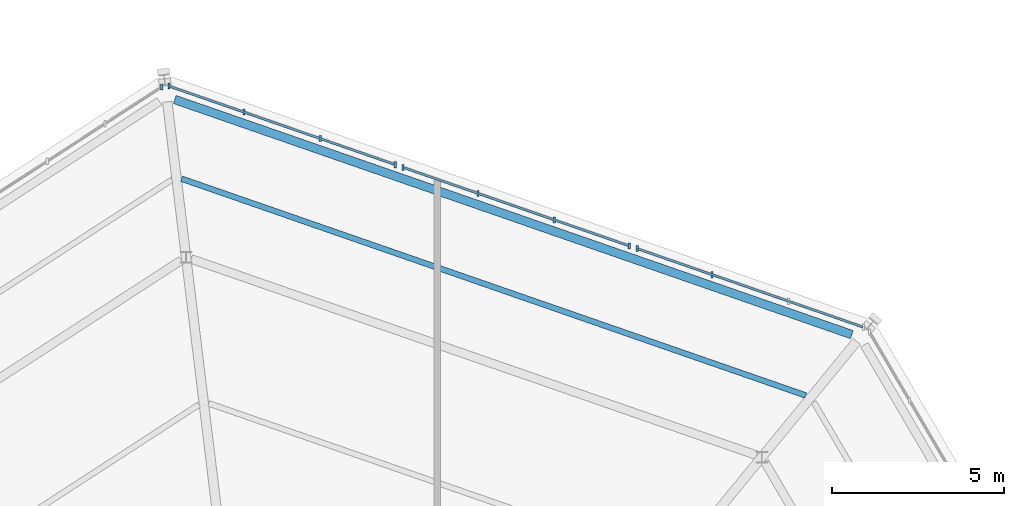
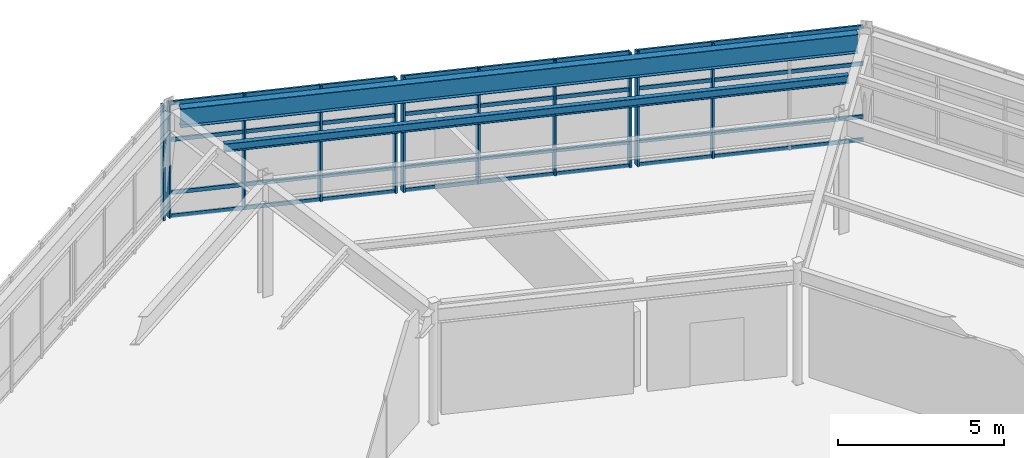
# One storey, part 37 of 69: 23 members, 2 beams, 4 elements without a shape of their own.
"""IFC4 building model written with IfcOpenShell, lengths in metres."""

from ifc_helpers import new_model, si_unit, direction, frame, origin, origin_2d, place, context, subcontext, project, spatial, rectangle, i_section, extrude, material, material_profile, profile_set, type_object, element, aggregate, save


model = new_model("IFC4")

# Units and contexts
model_context = context("Model", 3, precision=1e-05, world=origin(), true_north=direction((0.0, 1.0)))
body_context = subcontext(model_context, "Body", "Model", "MODEL_VIEW")
ifc_project = project(units=[si_unit("LENGTHUNIT", "METRE"), si_unit("AREAUNIT", "SQUARE_METRE"), si_unit("VOLUMEUNIT", "CUBIC_METRE"), si_unit("PLANEANGLEUNIT", "RADIAN"), si_unit("MASSUNIT", "GRAM", prefix="KILO")], contexts=[model_context])

# Site, building, storey
site_placement = place(None, origin())
site = spatial("IfcSite", under=ifc_project, at=site_placement, CompositionType="ELEMENT")
building_placement = place(site_placement, origin())
building = spatial("IfcBuilding", under=site, at=building_placement, Name="Sarnbrook Museum", CompositionType="ELEMENT")
storey_placement = place(building_placement, frame((0.0, 0.0, 14.60009765625)))
storey = spatial("IfcBuildingStorey", under=building, at=storey_placement, Name="L03", CompositionType="ELEMENT", Elevation=14.60009765625)

# Beam
ifc_material_1 = material(Name="Structural Steel Grade 350L0 (AS/NZS 3678, fy = 340 MPa for 20 < t <= 40 mm)", Category="steel")
ifc_material_profile_1 = material_profile(ifc_material_1, i_section(OverallWidth=0.25, OverallDepth=0.699951171875, WebThickness=0.010009765625, FlangeThickness=0.01611328125, at=origin_2d()), Name="700WB130")
ifc_profile_set_1 = profile_set([ifc_material_profile_1], Name="Structural Steel Grade 350L0 (AS/NZS 3678, fy = 340 MPa for 20 < t <= 40 mm)")
beam_type_1 = type_object("IfcBeamType", Name="BM-WB700", PredefinedType="BEAM", material=ifc_profile_set_1)
beam_1_placement = place(storey_placement, frame((156.162109375, 106.2177734375, 3.889892578125), z_axis=(-0.944671294685, 0.328018513194, 0.0), x_axis=(-0.328018513194, -0.944671294685, 0.0)))
element("IfcBeam", 1, at=beam_1_placement, inside=storey, type_object=beam_type_1, Name="Crystal Hall Perimeter Ring Girder 5 L03", PredefinedType="BEAM", context=body_context, shape_type="SweptSolid", body=[
    extrude(i_section(OverallWidth=0.25, OverallDepth=0.699951171875, WebThickness=0.010009765625, FlangeThickness=0.01611328125, at=origin_2d()), origin(), (0.0, 0.0, 1.0), 20.8408203125),
])

# Curtain wall, members
ifc_material_2 = material(Name="Thermally Broken Anodised Aluminium 6063-T6", Category="aluminium")
curtain_wall_type = type_object("IfcCurtainWallType", Name="CurtainWall_CrystalFacet", PredefinedType="NOTDEFINED", material=ifc_material_2)
curtain_wall_1_placement = place(storey_placement, origin())
curtain_wall_1 = element("IfcCurtainWall", 2, at=curtain_wall_1_placement, inside=storey, type_object=curtain_wall_type, Name="Crystal Hall Facet Curtain Wall L03-F5.1", PredefinedType="NOTDEFINED")
ifc_material_profile_2 = material_profile(ifc_material_2, rectangle(XDim=0.06494140625, YDim=0.179931640625, at=origin_2d()), Name="ALU MULLION 65x180")
ifc_profile_set_2 = profile_set([ifc_material_profile_2], Name="Thermally Broken Anodised Aluminium 6063-T6")
member_type_1 = type_object("IfcMemberType", Name="CW_Mullion_180x75", PredefinedType="MULLION", material=ifc_profile_set_2)
member_1_placement = place(storey_placement, frame((152.09912109375, 107.960205078125, 0.0), z_axis=(0.0, 0.0, 1.0), x_axis=(1.0, 0.0, 0.0)))
member_1 = element("IfcMember", 3, at=member_1_placement, type_object=member_type_1, Name="Crystal Hall Facet Curtain Wall L03-F5.1 Mullion 3", PredefinedType="MULLION", context=body_context, shape_type="SweptSolid", body=[
    extrude(rectangle(XDim=0.06494140625, YDim=0.179931640625, at=origin_2d()), origin(), (0.0, 0.0, 1.0), 4.239990234375),
])
member_2_placement = place(storey_placement, frame((149.9189453125, 108.71728515625, 0.0), z_axis=(0.0, 0.0, 1.0), x_axis=(1.0, 0.0, 0.0)))
member_2 = element("IfcMember", 4, at=member_2_placement, type_object=member_type_1, Name="Crystal Hall Facet Curtain Wall L03-F5.1 Mullion 4", PredefinedType="MULLION", context=body_context, shape_type="SweptSolid", body=[
    extrude(rectangle(XDim=0.06494140625, YDim=0.179931640625, at=origin_2d()), origin(), (0.0, 0.0, 1.0), 4.239990234375),
])

curtain_wall_2_placement = place(storey_placement, origin())
curtain_wall_2 = element("IfcCurtainWall", 5, at=curtain_wall_2_placement, inside=storey, type_object=curtain_wall_type, Name="Crystal Hall Facet Curtain Wall L03-F5.2", PredefinedType="NOTDEFINED")
member_3_placement = place(storey_placement, frame((149.692138671875, 108.7958984375, 0.0), z_axis=(0.0, 0.0, 1.0), x_axis=(1.0, 0.0, 0.0)))
member_3 = element("IfcMember", 6, at=member_3_placement, type_object=member_type_1, Name="Crystal Hall Facet Curtain Wall L03-F5.2 Mullion 1", PredefinedType="MULLION", context=body_context, shape_type="SweptSolid", body=[
    extrude(rectangle(XDim=0.06494140625, YDim=0.179931640625, at=origin_2d()), origin(), (0.0, 0.0, 1.0), 4.239990234375),
])
member_4_placement = place(storey_placement, frame((147.51220703125, 109.552978515625, 0.0), z_axis=(0.0, 0.0, 1.0), x_axis=(1.0, 0.0, 0.0)))
member_4 = element("IfcMember", 7, at=member_4_placement, type_object=member_type_1, Name="Crystal Hall Facet Curtain Wall L03-F5.2 Mullion 2", PredefinedType="MULLION", context=body_context, shape_type="SweptSolid", body=[
    extrude(rectangle(XDim=0.06494140625, YDim=0.179931640625, at=origin_2d()), origin(), (0.0, 0.0, 1.0), 4.239990234375),
])
member_5_placement = place(storey_placement, frame((145.294189453125, 110.322998046875, 0.0), z_axis=(0.0, 0.0, 1.0), x_axis=(1.0, 0.0, 0.0)))
member_5 = element("IfcMember", 8, at=member_5_placement, type_object=member_type_1, Name="Crystal Hall Facet Curtain Wall L03-F5.2 Mullion 3", PredefinedType="MULLION", context=body_context, shape_type="SweptSolid", body=[
    extrude(rectangle(XDim=0.06494140625, YDim=0.179931640625, at=origin_2d()), origin(), (0.0, 0.0, 1.0), 4.239990234375),
])
member_6_placement = place(storey_placement, frame((143.1142578125, 111.080078125, 0.0), z_axis=(0.0, 0.0, 1.0), x_axis=(1.0, 0.0, 0.0)))
member_6 = element("IfcMember", 9, at=member_6_placement, type_object=member_type_1, Name="Crystal Hall Facet Curtain Wall L03-F5.2 Mullion 4", PredefinedType="MULLION", context=body_context, shape_type="SweptSolid", body=[
    extrude(rectangle(XDim=0.06494140625, YDim=0.179931640625, at=origin_2d()), origin(), (0.0, 0.0, 1.0), 4.239990234375),
])

curtain_wall_3_placement = place(storey_placement, origin())
curtain_wall_3 = element("IfcCurtainWall", 10, at=curtain_wall_3_placement, inside=storey, type_object=curtain_wall_type, Name="Crystal Hall Facet Curtain Wall L03-F5.3", PredefinedType="NOTDEFINED")
member_7_placement = place(storey_placement, frame((142.887451171875, 111.15869140625, 0.0), z_axis=(0.0, 0.0, 1.0), x_axis=(1.0, 0.0, 0.0)))
member_7 = element("IfcMember", 11, at=member_7_placement, type_object=member_type_1, Name="Crystal Hall Facet Curtain Wall L03-F5.3 Mullion 1", PredefinedType="MULLION", context=body_context, shape_type="SweptSolid", body=[
    extrude(rectangle(XDim=0.06494140625, YDim=0.179931640625, at=origin_2d()), origin(), (0.0, 0.0, 1.0), 4.239990234375),
])
member_8_placement = place(storey_placement, frame((140.70751953125, 111.915771484375, 0.0), z_axis=(0.0, 0.0, 1.0), x_axis=(1.0, 0.0, 0.0)))
member_8 = element("IfcMember", 12, at=member_8_placement, type_object=member_type_1, Name="Crystal Hall Facet Curtain Wall L03-F5.3 Mullion 2", PredefinedType="MULLION", context=body_context, shape_type="SweptSolid", body=[
    extrude(rectangle(XDim=0.06494140625, YDim=0.179931640625, at=origin_2d()), origin(), (0.0, 0.0, 1.0), 4.239990234375),
])
member_9_placement = place(storey_placement, frame((138.489501953125, 112.685791015625, 0.0), z_axis=(0.0, 0.0, 1.0), x_axis=(1.0, 0.0, 0.0)))
member_9 = element("IfcMember", 13, at=member_9_placement, type_object=member_type_1, Name="Crystal Hall Facet Curtain Wall L03-F5.3 Mullion 3", PredefinedType="MULLION", context=body_context, shape_type="SweptSolid", body=[
    extrude(rectangle(XDim=0.06494140625, YDim=0.179931640625, at=origin_2d()), origin(), (0.0, 0.0, 1.0), 4.239990234375),
])
member_10_placement = place(storey_placement, frame((136.3095703125, 113.442626953125, 0.0), z_axis=(0.0, 0.0, 1.0), x_axis=(1.0, 0.0, 0.0)))
member_10 = element("IfcMember", 14, at=member_10_placement, type_object=member_type_1, Name="Crystal Hall Facet Curtain Wall L03-F5.3 Mullion 4", PredefinedType="MULLION", context=body_context, shape_type="SweptSolid", body=[
    extrude(rectangle(XDim=0.06494140625, YDim=0.179931640625, at=origin_2d()), origin(), (0.0, 0.0, 1.0), 4.239990234375),
])

# Curtain wall, member
curtain_wall_4_placement = place(storey_placement, origin())
curtain_wall_4 = element("IfcCurtainWall", 15, at=curtain_wall_4_placement, inside=storey, type_object=curtain_wall_type, Name="Crystal Hall Facet Curtain Wall L03-F6.1", PredefinedType="NOTDEFINED")
member_11_placement = place(storey_placement, frame((136.095458984375, 113.416748046875, 0.0), z_axis=(0.0, 0.0, 1.0), x_axis=(1.0, 0.0, 0.0)))
member_11 = element("IfcMember", 16, at=member_11_placement, type_object=member_type_1, Name="Crystal Hall Facet Curtain Wall L03-F6.1 Mullion 1", PredefinedType="MULLION", context=body_context, shape_type="SweptSolid", body=[
    extrude(rectangle(XDim=0.06494140625, YDim=0.179931640625, at=origin_2d()), origin(), (0.0, 0.0, 1.0), 4.239990234375),
])
aggregate(curtain_wall_4, [member_11])

# Member
ifc_material_profile_3 = material_profile(ifc_material_2, rectangle(XDim=0.06494140625, YDim=0.139892578125, at=origin_2d()), Name="ALU TRANSOM 65x140")
ifc_profile_set_3 = profile_set([ifc_material_profile_3], Name="Thermally Broken Anodised Aluminium 6063-T6")
member_type_2 = type_object("IfcMemberType", Name="CW_Transom_150x65", PredefinedType="USERDEFINED", material=ifc_profile_set_3)
member_12_placement = place(storey_placement, frame((156.487548828125, 106.4365234375, 0.039794921875), z_axis=(-0.944667913685, 0.328028250084, 0.0), x_axis=(-0.328028250084, -0.944667913685, 0.0)))
member_12 = element("IfcMember", 17, at=member_12_placement, type_object=member_type_2, Name="Crystal Hall Facet Curtain Wall L03-F5.1 Transom 1", ObjectType="TRANSOM", PredefinedType="USERDEFINED", context=body_context, shape_type="SweptSolid", body=[
    extrude(rectangle(XDim=0.06494140625, YDim=0.139892578125, at=origin_2d()), origin(), (0.0, 0.0, 1.0), 6.943359375),
])

member_13_placement = place(storey_placement, frame((156.487548828125, 106.4365234375, 0.89990234375), z_axis=(-0.944667913685, 0.328028250084, 0.0), x_axis=(-0.328028250084, -0.944667913685, 0.0)))
member_13 = element("IfcMember", 18, at=member_13_placement, type_object=member_type_2, Name="Crystal Hall Facet Curtain Wall L03-F5.1 Transom 2", ObjectType="TRANSOM", PredefinedType="USERDEFINED", context=body_context, shape_type="SweptSolid", body=[
    extrude(rectangle(XDim=0.06494140625, YDim=0.139892578125, at=origin_2d()), origin(), (0.0, 0.0, 1.0), 6.943359375),
])

member_14_placement = place(storey_placement, frame((156.487548828125, 106.4365234375, 2.849853515625), z_axis=(-0.944667913685, 0.328028250084, 0.0), x_axis=(-0.328028250084, -0.944667913685, 0.0)))
member_14 = element("IfcMember", 19, at=member_14_placement, type_object=member_type_2, Name="Crystal Hall Facet Curtain Wall L03-F5.1 Transom 3", ObjectType="TRANSOM", PredefinedType="USERDEFINED", context=body_context, shape_type="SweptSolid", body=[
    extrude(rectangle(XDim=0.06494140625, YDim=0.139892578125, at=origin_2d()), origin(), (0.0, 0.0, 1.0), 6.943359375),
])

member_15_placement = place(storey_placement, frame((156.487548828125, 106.4365234375, 4.199951171875), z_axis=(-0.944667913685, 0.328028250084, 0.0), x_axis=(-0.328028250084, -0.944667913685, 0.0)))
member_15 = element("IfcMember", 20, at=member_15_placement, type_object=member_type_2, Name="Crystal Hall Facet Curtain Wall L03-F5.1 Transom 4", ObjectType="TRANSOM", PredefinedType="USERDEFINED", context=body_context, shape_type="SweptSolid", body=[
    extrude(rectangle(XDim=0.06494140625, YDim=0.139892578125, at=origin_2d()), origin(), (0.0, 0.0, 1.0), 6.943359375),
])

aggregate(curtain_wall_1, [member_1, member_2, member_12, member_13, member_14, member_15])

member_16_placement = place(storey_placement, frame((149.682861328125, 108.79931640625, 0.039794921875), z_axis=(-0.944678809277, 0.327996870875, 0.0), x_axis=(-0.327996870875, -0.944678809277, 0.0)))
member_16 = element("IfcMember", 21, at=member_16_placement, type_object=member_type_2, Name="Crystal Hall Facet Curtain Wall L03-F5.2 Transom 1", ObjectType="TRANSOM", PredefinedType="USERDEFINED", context=body_context, shape_type="SweptSolid", body=[
    extrude(rectangle(XDim=0.06494140625, YDim=0.139892578125, at=origin_2d()), origin(), (0.0, 0.0, 1.0), 6.943115234375),
])

member_17_placement = place(storey_placement, frame((149.682861328125, 108.79931640625, 0.89990234375), z_axis=(-0.944678809277, 0.327996870875, 0.0), x_axis=(-0.327996870875, -0.944678809277, 0.0)))
member_17 = element("IfcMember", 22, at=member_17_placement, type_object=member_type_2, Name="Crystal Hall Facet Curtain Wall L03-F5.2 Transom 2", ObjectType="TRANSOM", PredefinedType="USERDEFINED", context=body_context, shape_type="SweptSolid", body=[
    extrude(rectangle(XDim=0.06494140625, YDim=0.139892578125, at=origin_2d()), origin(), (0.0, 0.0, 1.0), 6.943115234375),
])

member_18_placement = place(storey_placement, frame((149.682861328125, 108.79931640625, 2.849853515625), z_axis=(-0.944678809277, 0.327996870875, 0.0), x_axis=(-0.327996870875, -0.944678809277, 0.0)))
member_18 = element("IfcMember", 23, at=member_18_placement, type_object=member_type_2, Name="Crystal Hall Facet Curtain Wall L03-F5.2 Transom 3", ObjectType="TRANSOM", PredefinedType="USERDEFINED", context=body_context, shape_type="SweptSolid", body=[
    extrude(rectangle(XDim=0.06494140625, YDim=0.139892578125, at=origin_2d()), origin(), (0.0, 0.0, 1.0), 6.943115234375),
])

member_19_placement = place(storey_placement, frame((149.682861328125, 108.79931640625, 4.199951171875), z_axis=(-0.944678809277, 0.327996870875, 0.0), x_axis=(-0.327996870875, -0.944678809277, 0.0)))
member_19 = element("IfcMember", 24, at=member_19_placement, type_object=member_type_2, Name="Crystal Hall Facet Curtain Wall L03-F5.2 Transom 4", ObjectType="TRANSOM", PredefinedType="USERDEFINED", context=body_context, shape_type="SweptSolid", body=[
    extrude(rectangle(XDim=0.06494140625, YDim=0.139892578125, at=origin_2d()), origin(), (0.0, 0.0, 1.0), 6.943115234375),
])

aggregate(curtain_wall_2, [member_3, member_4, member_5, member_6, member_16, member_17, member_18, member_19])

member_20_placement = place(storey_placement, frame((142.878173828125, 111.162109375, 0.039794921875), z_axis=(-0.944678809277, 0.327996870875, 0.0), x_axis=(-0.327996870875, -0.944678809277, 0.0)))
member_20 = element("IfcMember", 25, at=member_20_placement, type_object=member_type_2, Name="Crystal Hall Facet Curtain Wall L03-F5.3 Transom 1", ObjectType="TRANSOM", PredefinedType="USERDEFINED", context=body_context, shape_type="SweptSolid", body=[
    extrude(rectangle(XDim=0.06494140625, YDim=0.139892578125, at=origin_2d()), origin(), (0.0, 0.0, 1.0), 6.943115234375),
])

member_21_placement = place(storey_placement, frame((142.878173828125, 111.162109375, 0.89990234375), z_axis=(-0.944678809277, 0.327996870875, 0.0), x_axis=(-0.327996870875, -0.944678809277, 0.0)))
member_21 = element("IfcMember", 26, at=member_21_placement, type_object=member_type_2, Name="Crystal Hall Facet Curtain Wall L03-F5.3 Transom 2", ObjectType="TRANSOM", PredefinedType="USERDEFINED", context=body_context, shape_type="SweptSolid", body=[
    extrude(rectangle(XDim=0.06494140625, YDim=0.139892578125, at=origin_2d()), origin(), (0.0, 0.0, 1.0), 6.943115234375),
])

member_22_placement = place(storey_placement, frame((142.878173828125, 111.162109375, 2.849853515625), z_axis=(-0.944678809277, 0.327996870875, 0.0), x_axis=(-0.327996870875, -0.944678809277, 0.0)))
member_22 = element("IfcMember", 27, at=member_22_placement, type_object=member_type_2, Name="Crystal Hall Facet Curtain Wall L03-F5.3 Transom 3", ObjectType="TRANSOM", PredefinedType="USERDEFINED", context=body_context, shape_type="SweptSolid", body=[
    extrude(rectangle(XDim=0.06494140625, YDim=0.139892578125, at=origin_2d()), origin(), (0.0, 0.0, 1.0), 6.943115234375),
])

member_23_placement = place(storey_placement, frame((142.878173828125, 111.162109375, 4.199951171875), z_axis=(-0.944678809277, 0.327996870875, 0.0), x_axis=(-0.327996870875, -0.944678809277, 0.0)))
member_23 = element("IfcMember", 28, at=member_23_placement, type_object=member_type_2, Name="Crystal Hall Facet Curtain Wall L03-F5.3 Transom 4", ObjectType="TRANSOM", PredefinedType="USERDEFINED", context=body_context, shape_type="SweptSolid", body=[
    extrude(rectangle(XDim=0.06494140625, YDim=0.139892578125, at=origin_2d()), origin(), (0.0, 0.0, 1.0), 6.943115234375),
])

aggregate(curtain_wall_3, [member_7, member_8, member_9, member_10, member_20, member_21, member_22, member_23])

# Beam
ifc_material_3 = material(Name="Structural Steel Grade 300PLUS (AS/NZS 3679.1, fy = 280 MPa for 17 < t <= 40 mm, 300 MPa for t <= 17 mm)", Category="steel")
ifc_material_profile_4 = material_profile(ifc_material_3, i_section(OverallWidth=0.1650390625, OverallDepth=0.303955078125, WebThickness=0.006103515625, FlangeThickness=0.01025390625, FilletRadius=0.011474609375, at=origin_2d()), Name="310UB40.4")
ifc_profile_set_4 = profile_set([ifc_material_profile_4], Name="Structural Steel Grade 300PLUS (AS/NZS 3679.1, fy = 280 MPa for 17 < t <= 40 mm, 300 MPa for t <= 17 mm)")
beam_type_2 = type_object("IfcBeamType", Name="JS-UB310", PredefinedType="JOIST", material=ifc_profile_set_4)
beam_2_placement = place(storey_placement, frame((154.81982421875, 104.448974609375, 4.087890625), z_axis=(-0.944673937704, 0.328010901378, 0.0), x_axis=(-0.328010901378, -0.944673937704, 0.0)))
element("IfcBeam", 29, at=beam_2_placement, inside=storey, type_object=beam_type_2, Name="Crystal Hall Tangential Joist MO-5 L03", PredefinedType="JOIST", context=body_context, shape_type="SweptSolid", body=[
    extrude(i_section(OverallWidth=0.1650390625, OverallDepth=0.303955078125, WebThickness=0.006103515625, FlangeThickness=0.01025390625, FilletRadius=0.011474609375, at=origin_2d()), origin(), (0.0, 0.0, 1.0), 19.21044921875),
])

save(model, "model.ifc")
